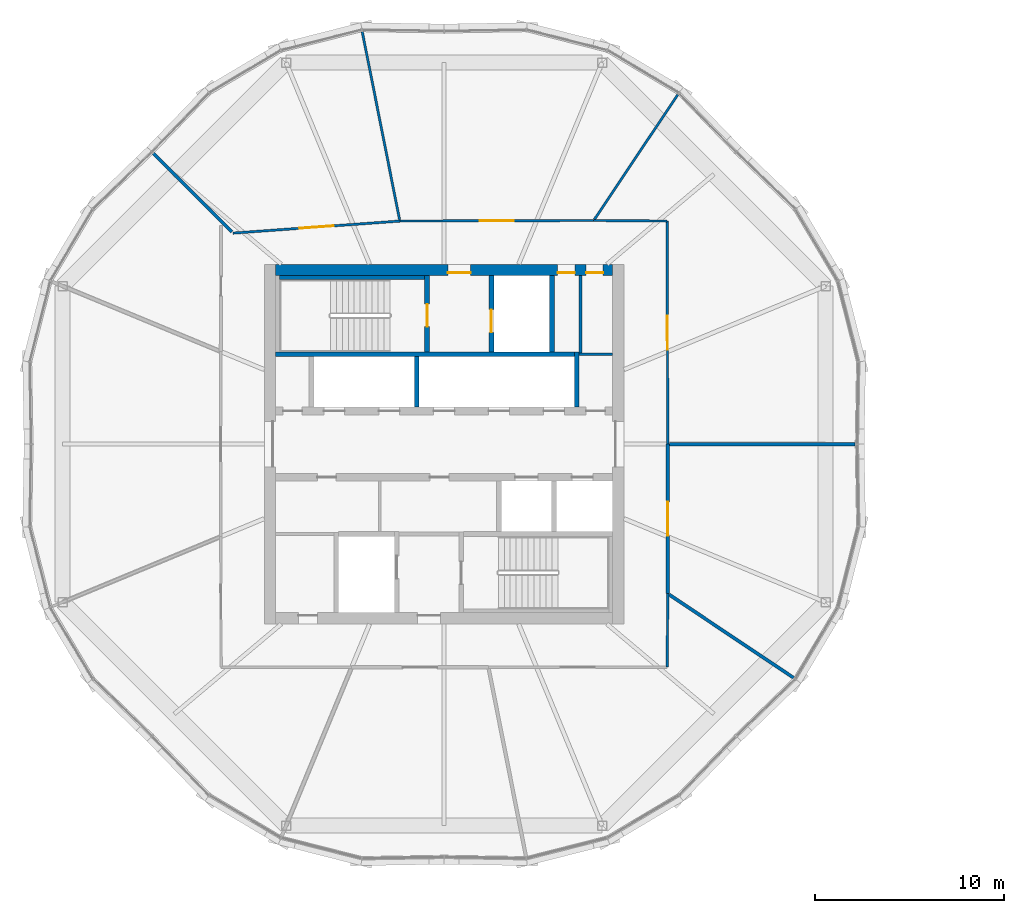
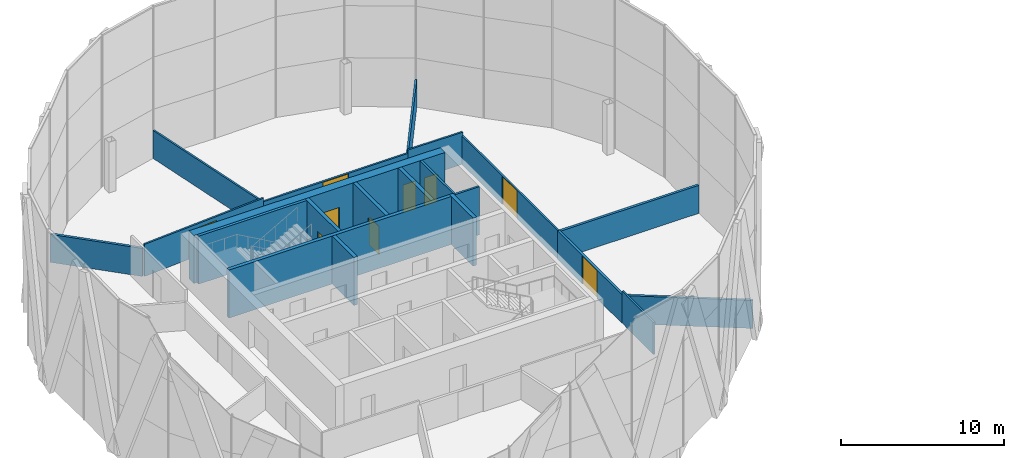
# One storey, part 18 of 23: 21 walls, 9 doors, 9 openings.
"""IFC4 building model written with IfcOpenShell, lengths in metres."""

from ifc_helpers import new_model, si_unit, direction, frame, frame_2d, origin, place, context, subcontext, project, spatial, rectangle, extrude, material, layer, layer_set, type_object, element, fill, save


model = new_model("IFC4")

# Units and contexts
model_context = context("Model", 3, precision=1e-05, world=origin(), true_north=direction((0.0, 1.0)))
body_context = subcontext(model_context, "Body", "Model", "MODEL_VIEW")
ifc_project = project(units=[si_unit("LENGTHUNIT", "METRE"), si_unit("AREAUNIT", "SQUARE_METRE"), si_unit("VOLUMEUNIT", "CUBIC_METRE"), si_unit("PLANEANGLEUNIT", "RADIAN"), si_unit("MASSUNIT", "GRAM", prefix="KILO")], contexts=[model_context])

# Site, building, storey
site_placement = place(None, origin())
site = spatial("IfcSite", under=ifc_project, at=site_placement, CompositionType="ELEMENT")
building_placement = place(site_placement, origin())
building = spatial("IfcBuilding", under=site, at=building_placement, Name="Ogive Gate Towers", CompositionType="ELEMENT")
storey_placement = place(building_placement, frame((0.0, 0.0, 177.300048828125)))
storey = spatial("IfcBuildingStorey", under=building, at=storey_placement, Name="L42", CompositionType="ELEMENT", Elevation=177.300048828125)

# Walls
ifc_material_1 = material(Name="Gypsum board acoustic partition")
ifc_layer_1 = layer(ifc_material_1, 0.175048828125)
ifc_layer_set_1 = layer_set([ifc_layer_1], Name="Acoustic partition 175")
wall_type_1 = type_object("IfcWallType", Name="Acoustic partition 175", PredefinedType="PARTITIONING", material=ifc_layer_set_1)
wall_1_placement = place(storey_placement, frame((-14.291015625, 0.0, 0.0), z_axis=(0.0, 0.0, 1.0), x_axis=(-1.0, 0.0, 0.0)))
element("IfcWall", 1, at=wall_1_placement, inside=storey, type_object=wall_type_1, Name="Partition T1-L42-001", PredefinedType="PARTITIONING", context=body_context, shape_type="SweptSolid", body=[
    extrude(rectangle(XDim=9.8115234375, YDim=0.175048828125, at=frame_2d((4.90576171875, 0.0))), origin(), (0.0, 0.0, 1.0), 2.099853515625),
])
wall_2_placement = place(storey_placement, frame((-51.3505859375, 15.3505859375, 0.0), z_axis=(0.0, 0.0, 1.0), x_axis=(0.707106781187, -0.707106781187, 0.0)))
element("IfcWall", 2, at=wall_2_placement, inside=storey, type_object=wall_type_1, Name="Partition T1-L42-004", PredefinedType="PARTITIONING", context=body_context, shape_type="SweptSolid", body=[
    extrude(rectangle(XDim=5.861572265625, YDim=0.175048828125, at=frame_2d((2.9306640625, 0.0))), origin(), (0.0, 0.0, 1.0), 2.099853515625),
])
wall_3_placement = place(storey_placement, frame((-17.537841796875, -12.345703125, 0.0), z_axis=(0.0, 0.0, 1.0), x_axis=(-0.831275639712, 0.555860423867, 0.0)))
element("IfcWall", 3, at=wall_3_placement, inside=storey, type_object=wall_type_1, Name="Partition T1-L42-009", PredefinedType="PARTITIONING", context=body_context, shape_type="SweptSolid", body=[
    extrude(rectangle(XDim=7.91162109375, YDim=0.175048828125, at=frame_2d((3.955810546875, 0.0))), origin(), (0.0, 0.0, 1.0), 2.099853515625),
])

# Wall, opening, door
wall_4_placement = place(storey_placement, frame((-24.187255859375, -7.899169921875, 0.0), z_axis=(0.0, 0.0, 1.0), x_axis=(-0.000339978345, 0.999999942207, 0.0)))
wall_4 = element("IfcWall", 4, at=wall_4_placement, inside=storey, type_object=wall_type_1, Name="Partition T1-L42-010", PredefinedType="PARTITIONING", context=body_context, shape_type="SweptSolid", body=[
    extrude(rectangle(XDim=7.899169921875, YDim=0.175048828125, at=frame_2d((3.94970703125, 0.0))), origin(), (0.0, 0.0, 1.0), 2.139892578125),
])
opening_1_placement = place(wall_4_placement, frame((3.050048828125, 0.0, 0.0)))
opening_1 = element("IfcOpeningElement", 5, at=opening_1_placement, cuts=wall_4, Name="Opening T1-L42-D01", PredefinedType="OPENING", context=body_context, shape_type="SweptSolid", body=[
    extrude(rectangle(XDim=1.800048828125, YDim=2.10009765625, at=frame_2d((0.89990234375, 1.050048828125))), frame((0.0, 0.09765625, 0.0), z_axis=(0.0, -1.0, 0.0), x_axis=(1.0, 0.0, 0.0)), (0.0, 0.0, 1.0), 0.195068359375),
])
ifc_material_2 = material(Name="Timber door", Category="wood")
door_type_1 = type_object("IfcDoorType", Name="Door pair 1800", OperationType="NOTDEFINED", PredefinedType="DOOR", material=ifc_material_2)
door_1_placement = place(opening_1_placement, origin())
door_1 = element("IfcDoor", 6, at=door_1_placement, inside=storey, type_object=door_type_1, Name="Door T1-L42-D01", OperationType="DOUBLE_DOOR_DOUBLE_SWING", OverallHeight=2.10009765625, OverallWidth=1.800048828125, PredefinedType="DOOR", context=body_context, shape_type="SweptSolid", body=[
    extrude(rectangle(XDim=1.800048828125, YDim=2.10009765625, at=frame_2d((0.89990234375, 1.050048828125))), frame((0.0, 0.02490234375, 0.0), z_axis=(0.0, -1.0, 0.0), x_axis=(1.0, 0.0, 0.0)), (0.0, 0.0, 1.0), 0.050048828125),
])
fill(opening_1, door_1)

# Wall, openings, doors
ifc_material_3 = material(Name="Concrete C60/75", Category="concrete")
ifc_layer_2 = layer(ifc_material_3, 0.60009765625)
ifc_layer_set_2 = layer_set([ifc_layer_2], Name="Core wall 600 mm")
wall_type_2 = type_object("IfcWallType", Name="Core wall 600 mm", PredefinedType="SHEAR", material=ifc_layer_set_2)
wall_5_placement = place(storey_placement, frame((-44.89990234375, 9.199951171875, 0.0), z_axis=(0.0, 0.0, 1.0), x_axis=(1.0, 0.0, 0.0)))
wall_5 = element("IfcWall", 7, at=wall_5_placement, inside=storey, type_object=wall_type_2, Name="T1 L42 Core wall 600 mm", PredefinedType="SHEAR", context=body_context, shape_type="SweptSolid", body=[
    extrude(rectangle(XDim=17.7998046875, YDim=0.60009765625, at=frame_2d((8.89990234375, 0.0))), origin(), (0.0, 0.0, 1.0), 3.599853515625),
])
opening_2_placement = place(wall_5_placement, frame((9.10009765625, 0.0, 0.0)))
opening_2 = element("IfcOpeningElement", 8, at=opening_2_placement, cuts=wall_5, Name="Opening KD-T1-L42-18", PredefinedType="OPENING", context=body_context, shape_type="SweptSolid", body=[
    extrude(rectangle(XDim=1.199951171875, YDim=2.10009765625, at=frame_2d((0.60009765625, 1.050048828125))), frame((0.0, 0.31005859375, 0.0), z_axis=(0.0, -1.0, 0.0), x_axis=(1.0, 0.0, 0.0)), (0.0, 0.0, 1.0), 0.6201171875),
])
opening_3_placement = place(wall_5_placement, frame((14.89990234375, 0.0, 0.0)))
opening_3 = element("IfcOpeningElement", 9, at=opening_3_placement, cuts=wall_5, Name="Opening KD-T1-L42-20", PredefinedType="OPENING", context=body_context, shape_type="SweptSolid", body=[
    extrude(rectangle(XDim=0.89990234375, YDim=2.10009765625, at=frame_2d((0.449951171875, 1.050048828125))), frame((0.0, 0.31005859375, 0.0), z_axis=(0.0, -1.0, 0.0), x_axis=(1.0, 0.0, 0.0)), (0.0, 0.0, 1.0), 0.6201171875),
])
opening_4_placement = place(wall_5_placement, frame((16.39990234375, 0.0, 0.0)))
opening_4 = element("IfcOpeningElement", 10, at=opening_4_placement, cuts=wall_5, Name="Opening KD-T1-L42-21", PredefinedType="OPENING", context=body_context, shape_type="SweptSolid", body=[
    extrude(rectangle(XDim=0.89990234375, YDim=2.10009765625, at=frame_2d((0.449951171875, 1.050048828125))), frame((0.0, 0.31005859375, 0.0), z_axis=(0.0, -1.0, 0.0), x_axis=(1.0, 0.0, 0.0)), (0.0, 0.0, 1.0), 0.6201171875),
])
door_type_2 = type_object("IfcDoorType", Name="Core WC door 900 x 2100", OperationType="NOTDEFINED", PredefinedType="DOOR", material=ifc_material_2)
door_2_placement = place(opening_3_placement, origin())
door_2 = element("IfcDoor", 11, at=door_2_placement, inside=storey, type_object=door_type_2, Name="T1 L42 Core door", OperationType="SINGLE_SWING_LEFT", OverallHeight=2.10009765625, OverallWidth=0.89990234375, PredefinedType="DOOR", context=body_context, shape_type="SweptSolid", body=[
    extrude(rectangle(XDim=0.89990234375, YDim=2.10009765625, at=frame_2d((0.449951171875, 1.050048828125))), frame((0.0, -0.125, 0.0), z_axis=(0.0, -1.0, 0.0), x_axis=(1.0, 0.0, 0.0)), (0.0, 0.0, 1.0), 0.050048828125),
])
fill(opening_3, door_2)
door_3_placement = place(opening_4_placement, origin())
door_3 = element("IfcDoor", 12, at=door_3_placement, inside=storey, type_object=door_type_2, Name="T1 L42 Core door", OperationType="SINGLE_SWING_RIGHT", OverallHeight=2.10009765625, OverallWidth=0.89990234375, PredefinedType="DOOR", context=body_context, shape_type="SweptSolid", body=[
    extrude(rectangle(XDim=0.89990234375, YDim=2.10009765625, at=frame_2d((0.449951171875, 1.050048828125))), frame((0.0, -0.125, 0.0), z_axis=(0.0, -1.0, 0.0), x_axis=(1.0, 0.0, 0.0)), (0.0, 0.0, 1.0), 0.050048828125),
])
fill(opening_4, door_3)
ifc_material_4 = material(Name="Steel fire door", Category="steel")
door_type_3 = type_object("IfcDoorType", Name="Core door FD60S 1200 x 2100", OperationType="NOTDEFINED", PredefinedType="DOOR", material=ifc_material_4)
door_4_placement = place(opening_2_placement, origin())
door_4 = element("IfcDoor", 13, at=door_4_placement, inside=storey, type_object=door_type_3, Name="T1 L42 Fire-fighting lobby door", OperationType="SINGLE_SWING_LEFT", OverallHeight=2.10009765625, OverallWidth=1.199951171875, PredefinedType="DOOR", context=body_context, shape_type="SweptSolid", body=[
    extrude(rectangle(XDim=1.199951171875, YDim=2.10009765625, at=frame_2d((0.60009765625, 1.050048828125))), frame((0.0, -0.125, 0.0), z_axis=(0.0, -1.0, 0.0), x_axis=(1.0, 0.0, 0.0)), (0.0, 0.0, 1.0), 0.050048828125),
])
fill(opening_2, door_4)

# Walls
ifc_material_5 = material(Name="Gypsum board partition")
ifc_layer_3 = layer(ifc_material_5, 0.125)
ifc_layer_set_3 = layer_set([ifc_layer_3], Name="Partition 125")
wall_type_3 = type_object("IfcWallType", Name="Partition 125", PredefinedType="PARTITIONING", material=ifc_layer_set_3)
wall_6_placement = place(storey_placement, frame((-23.654296875, 18.462158203125, 0.0), z_axis=(0.0, 0.0, 1.0), x_axis=(-0.555863865151, -0.831273338571, 0.0)))
element("IfcWall", 14, at=wall_6_placement, inside=storey, type_object=wall_type_3, Name="Partition T1-L42-002", PredefinedType="PARTITIONING", context=body_context, shape_type="SweptSolid", body=[
    extrude(rectangle(XDim=7.9365234375, YDim=0.125, at=frame_2d((3.96826171875, 0.0))), origin(), (0.0, 0.0, 1.0), 2.099853515625),
])
wall_7_placement = place(storey_placement, frame((-40.324951171875, 21.784423828125, 0.0), z_axis=(0.0, 0.0, 1.0), x_axis=(0.194731025015, -0.98085668061, 0.0)))
element("IfcWall", 15, at=wall_7_placement, inside=storey, type_object=wall_type_3, Name="Partition T1-L42-003", PredefinedType="PARTITIONING", context=body_context, shape_type="SweptSolid", body=[
    extrude(rectangle(XDim=10.136474609375, YDim=0.125, at=frame_2d((5.068359375, 0.0))), origin(), (0.0, 0.0, 1.0), 2.099853515625),
])

# Wall, opening, door
wall_8_placement = place(storey_placement, frame((-24.18994140625, 0.0, 0.0), z_axis=(0.0, 0.0, 1.0), x_axis=(-0.002549161683, 0.999996750882, 0.0)))
wall_8 = element("IfcWall", 16, at=wall_8_placement, inside=storey, type_object=wall_type_3, Name="Partition T1-L42-011", PredefinedType="PARTITIONING", context=body_context, shape_type="SweptSolid", body=[
    extrude(rectangle(XDim=11.780029296875, YDim=0.125, at=frame_2d((5.89013671875, 0.0))), origin(), (0.0, 0.0, 1.0), 2.139892578125),
])
opening_5_placement = place(wall_8_placement, frame((4.989990234375, 0.0, 0.0)))
opening_5 = element("IfcOpeningElement", 17, at=opening_5_placement, cuts=wall_8, Name="Opening T1-L42-D02", PredefinedType="OPENING", context=body_context, shape_type="SweptSolid", body=[
    extrude(rectangle(XDim=1.800048828125, YDim=2.10009765625, at=frame_2d((0.89990234375, 1.050048828125))), frame((0.0, 0.072509765625, 0.0), z_axis=(0.0, -1.0, 0.0), x_axis=(1.0, 0.0, 0.0)), (0.0, 0.0, 1.0), 0.14501953125),
])
door_5_placement = place(opening_5_placement, origin())
door_5 = element("IfcDoor", 18, at=door_5_placement, inside=storey, type_object=door_type_1, Name="Door T1-L42-D02", OperationType="DOUBLE_DOOR_DOUBLE_SWING", OverallHeight=2.10009765625, OverallWidth=1.800048828125, PredefinedType="DOOR", context=body_context, shape_type="SweptSolid", body=[
    extrude(rectangle(XDim=1.800048828125, YDim=2.10009765625, at=frame_2d((0.89990234375, 1.050048828125))), frame((0.0, 0.02490234375, 0.0), z_axis=(0.0, -1.0, 0.0), x_axis=(1.0, 0.0, 0.0)), (0.0, 0.0, 1.0), 0.050048828125),
])
fill(opening_5, door_5)

# Wall
wall_9_placement = place(storey_placement, frame((-24.219970703125, 11.780029296875, 0.0), z_axis=(0.0, 0.0, 1.0), x_axis=(-0.999964471183, 0.008429494158, 0.0)))
element("IfcWall", 19, at=wall_9_placement, inside=storey, type_object=wall_type_3, Name="Partition T1-L42-012", PredefinedType="PARTITIONING", context=body_context, shape_type="SweptSolid", body=[
    extrude(rectangle(XDim=3.881103515625, YDim=0.125, at=frame_2d((1.9404296875, 0.0))), origin(), (0.0, 0.0, 1.0), 2.39990234375),
])

# Wall, opening, door
wall_10_placement = place(storey_placement, frame((-28.100830078125, 11.812744140625, 0.0), z_axis=(0.0, 0.0, 1.0), x_axis=(-0.999995120716, -0.003123866956, 0.0)))
wall_10 = element("IfcWall", 20, at=wall_10_placement, inside=storey, type_object=wall_type_3, Name="Partition T1-L42-013", PredefinedType="PARTITIONING", context=body_context, shape_type="SweptSolid", body=[
    extrude(rectangle(XDim=10.238037109375, YDim=0.125, at=frame_2d((5.119140625, 0.0))), origin(), (0.0, 0.0, 1.0), 2.139892578125),
])
opening_6_placement = place(wall_10_placement, frame((4.218994140625, 0.0, 0.0)))
opening_6 = element("IfcOpeningElement", 21, at=opening_6_placement, cuts=wall_10, Name="Opening T1-L42-D03", PredefinedType="OPENING", context=body_context, shape_type="SweptSolid", body=[
    extrude(rectangle(XDim=1.800048828125, YDim=2.10009765625, at=frame_2d((0.89990234375, 1.050048828125))), frame((0.0, 0.072509765625, 0.0), z_axis=(0.0, -1.0, 0.0), x_axis=(1.0, 0.0, 0.0)), (0.0, 0.0, 1.0), 0.14501953125),
])
door_6_placement = place(opening_6_placement, origin())
door_6 = element("IfcDoor", 22, at=door_6_placement, inside=storey, type_object=door_type_1, Name="Door T1-L42-D03", OperationType="DOUBLE_DOOR_DOUBLE_SWING", OverallHeight=2.10009765625, OverallWidth=1.800048828125, PredefinedType="DOOR", context=body_context, shape_type="SweptSolid", body=[
    extrude(rectangle(XDim=1.800048828125, YDim=2.10009765625, at=frame_2d((0.89990234375, 1.050048828125))), frame((0.0, 0.02490234375, 0.0), z_axis=(0.0, -1.0, 0.0), x_axis=(1.0, 0.0, 0.0)), (0.0, 0.0, 1.0), 0.050048828125),
])
fill(opening_6, door_6)

wall_11_placement = place(storey_placement, frame((-38.3388671875, 11.78076171875, 0.0), z_axis=(0.0, 0.0, 1.0), x_axis=(-0.997395705501, -0.072123551266, 0.0)))
wall_11 = element("IfcWall", 23, at=wall_11_placement, inside=storey, type_object=wall_type_3, Name="Partition T1-L42-014", PredefinedType="PARTITIONING", context=body_context, shape_type="SweptSolid", body=[
    extrude(rectangle(XDim=8.828125, YDim=0.125, at=frame_2d((4.4140625, 0.0))), origin(), (0.0, 0.0, 1.0), 2.39990234375),
])
opening_7_placement = place(wall_11_placement, frame((3.513916015625, 0.0, 0.0)))
opening_7 = element("IfcOpeningElement", 24, at=opening_7_placement, cuts=wall_11, Name="Opening T1-L42-D04", PredefinedType="OPENING", context=body_context, shape_type="SweptSolid", body=[
    extrude(rectangle(XDim=1.800048828125, YDim=2.10009765625, at=frame_2d((0.89990234375, 1.050048828125))), frame((0.0, 0.072509765625, 0.0), z_axis=(0.0, -1.0, 0.0), x_axis=(1.0, 0.0, 0.0)), (0.0, 0.0, 1.0), 0.14501953125),
])
door_7_placement = place(opening_7_placement, origin())
door_7 = element("IfcDoor", 25, at=door_7_placement, inside=storey, type_object=door_type_1, Name="Door T1-L42-D04", OperationType="DOUBLE_DOOR_DOUBLE_SWING", OverallHeight=2.10009765625, OverallWidth=1.800048828125, PredefinedType="DOOR", context=body_context, shape_type="SweptSolid", body=[
    extrude(rectangle(XDim=1.800048828125, YDim=2.10009765625, at=frame_2d((0.89990234375, 1.050048828125))), frame((0.0, 0.02490234375, 0.0), z_axis=(0.0, -1.0, 0.0), x_axis=(1.0, 0.0, 0.0)), (0.0, 0.0, 1.0), 0.050048828125),
])
fill(opening_7, door_7)

# Walls
wall_12_placement = place(storey_placement, frame((-24.219970703125, -11.780029296875, 0.0), z_axis=(0.0, 0.0, 1.0), x_axis=(0.008429494158, 0.999964471183, 0.0)))
element("IfcWall", 26, at=wall_12_placement, inside=storey, type_object=wall_type_3, Name="Partition T1-L42-021", PredefinedType="PARTITIONING", context=body_context, shape_type="SweptSolid", body=[
    extrude(rectangle(XDim=3.881103515625, YDim=0.125, at=frame_2d((1.9404296875, 0.0))), origin(), (0.0, 0.0, 1.0), 2.39990234375),
])
ifc_layer_4 = layer(ifc_material_5, 0.14990234375)
ifc_layer_set_4 = layer_set([ifc_layer_4], Name="Room partition 150 mm")
wall_type_4 = type_object("IfcWallType", Name="Room partition 150 mm", PredefinedType="PARTITIONING", material=ifc_layer_set_4)
wall_13_placement = place(storey_placement, frame((-28.875, 4.75, 0.0), z_axis=(0.0, 0.0, 1.0), x_axis=(1.0, 0.0, 0.0)))
element("IfcWall", 27, at=wall_13_placement, inside=storey, type_object=wall_type_4, Name="T1 L42 Room partition 150 mm", PredefinedType="PARTITIONING", context=body_context, shape_type="SweptSolid", body=[
    extrude(rectangle(XDim=1.77490234375, YDim=0.14990234375, at=frame_2d((0.887451171875, 0.0))), origin(), (0.0, 0.0, 1.0), 3.599853515625),
])
wall_14_placement = place(storey_placement, frame((-28.800048828125, 4.824951171875, 0.0), z_axis=(0.0, 0.0, 1.0), x_axis=(0.0, 1.0, 0.0)))
element("IfcWall", 28, at=wall_14_placement, inside=storey, type_object=wall_type_4, Name="T1 L42 Room partition 150 mm", PredefinedType="PARTITIONING", context=body_context, shape_type="SweptSolid", body=[
    extrude(rectangle(XDim=4.074951171875, YDim=0.14990234375, at=frame_2d((2.03759765625, 0.0))), origin(), (0.0, 0.0, 1.0), 3.599853515625),
])
ifc_layer_5 = layer(ifc_material_3, 0.25)
ifc_layer_set_5 = layer_set([ifc_layer_5], Name="Shaft wall 250 mm")
wall_type_5 = type_object("IfcWallType", Name="Shaft wall 250 mm", PredefinedType="SHEAR", material=ifc_layer_set_5)
wall_15_placement = place(storey_placement, frame((-44.89990234375, 4.75, 0.0), z_axis=(0.0, 0.0, 1.0), x_axis=(1.0, 0.0, 0.0)))
element("IfcWall", 29, at=wall_15_placement, inside=storey, type_object=wall_type_5, Name="T1 L42 Shaft wall 250 mm", PredefinedType="SHEAR", context=body_context, shape_type="SweptSolid", body=[
    extrude(rectangle(XDim=15.77490234375, YDim=0.25, at=frame_2d((7.887451171875, 0.0))), origin(), (0.0, 0.0, 1.0), 3.599853515625),
])
wall_16_placement = place(storey_placement, frame((-37.449951171875, 1.949951171875, 0.0), z_axis=(0.0, 0.0, 1.0), x_axis=(0.0, 1.0, 0.0)))
element("IfcWall", 30, at=wall_16_placement, inside=storey, type_object=wall_type_5, Name="T1 L42 Shaft wall 250 mm", PredefinedType="SHEAR", context=body_context, shape_type="SweptSolid", body=[
    extrude(rectangle(XDim=2.675048828125, YDim=0.25, at=frame_2d((1.33740234375, 0.0))), origin(), (0.0, 0.0, 1.0), 3.599853515625),
])

# Wall, opening, door
wall_17_placement = place(storey_placement, frame((-36.89990234375, 4.875, 0.0), z_axis=(0.0, 0.0, 1.0), x_axis=(0.0, 1.0, 0.0)))
wall_17 = element("IfcWall", 31, at=wall_17_placement, inside=storey, type_object=wall_type_5, Name="T1 L42 Shaft wall 250 mm", PredefinedType="SHEAR", context=body_context, shape_type="SweptSolid", body=[
    extrude(rectangle(XDim=4.02490234375, YDim=0.25, at=frame_2d((2.012451171875, 0.0))), origin(), (0.0, 0.0, 1.0), 3.599853515625),
])
opening_8_placement = place(wall_17_placement, frame((1.324951171875, 0.0, 0.0)))
opening_8 = element("IfcOpeningElement", 32, at=opening_8_placement, cuts=wall_17, Name="Opening KD-T1-L42-16", PredefinedType="OPENING", context=body_context, shape_type="SweptSolid", body=[
    extrude(rectangle(XDim=1.199951171875, YDim=2.10009765625, at=frame_2d((0.60009765625, 1.050048828125))), frame((0.0, 0.135009765625, 0.0), z_axis=(0.0, -1.0, 0.0), x_axis=(1.0, 0.0, 0.0)), (0.0, 0.0, 1.0), 0.27001953125),
])
door_8_placement = place(opening_8_placement, origin())
door_8 = element("IfcDoor", 33, at=door_8_placement, inside=storey, type_object=door_type_3, Name="T1 L42 Stair door", OperationType="SINGLE_SWING_LEFT", OverallHeight=2.10009765625, OverallWidth=1.199951171875, PredefinedType="DOOR", context=body_context, shape_type="SweptSolid", body=[
    extrude(rectangle(XDim=1.199951171875, YDim=2.10009765625, at=frame_2d((0.60009765625, 1.050048828125))), frame((0.0, 0.02490234375, 0.0), z_axis=(0.0, -1.0, 0.0), x_axis=(1.0, 0.0, 0.0)), (0.0, 0.0, 1.0), 0.050048828125),
])
fill(opening_8, door_8)

wall_18_placement = place(storey_placement, frame((-33.5, 4.875, 0.0), z_axis=(0.0, 0.0, 1.0), x_axis=(0.0, 1.0, 0.0)))
wall_18 = element("IfcWall", 34, at=wall_18_placement, inside=storey, type_object=wall_type_5, Name="T1 L42 Shaft wall 250 mm", PredefinedType="SHEAR", context=body_context, shape_type="SweptSolid", body=[
    extrude(rectangle(XDim=4.02490234375, YDim=0.25, at=frame_2d((2.012451171875, 0.0))), origin(), (0.0, 0.0, 1.0), 3.599853515625),
])
opening_9_placement = place(wall_18_placement, frame((1.02490234375, 0.0, 0.0)))
opening_9 = element("IfcOpeningElement", 35, at=opening_9_placement, cuts=wall_18, Name="Opening LD-T1-L42-12", PredefinedType="OPENING", context=body_context, shape_type="SweptSolid", body=[
    extrude(rectangle(XDim=1.199951171875, YDim=2.10009765625, at=frame_2d((0.60009765625, 1.050048828125))), frame((0.0, 0.135009765625, 0.0), z_axis=(0.0, -1.0, 0.0), x_axis=(1.0, 0.0, 0.0)), (0.0, 0.0, 1.0), 0.27001953125),
])
ifc_material_6 = material(Name="Stainless steel landing door", Category="steel")
door_type_4 = type_object("IfcDoorType", Name="Landing door 1200 x 2100", OperationType="SLIDING_TO_LEFT", PredefinedType="DOOR", material=ifc_material_6)
door_9_placement = place(opening_9_placement, origin())
door_9 = element("IfcDoor", 36, at=door_9_placement, inside=storey, type_object=door_type_4, Name="T1 L42 Lift landing door FF1", OperationType="SLIDING_TO_LEFT", OverallHeight=2.10009765625, OverallWidth=1.199951171875, PredefinedType="DOOR", context=body_context, shape_type="SweptSolid", body=[
    extrude(rectangle(XDim=1.199951171875, YDim=2.10009765625, at=frame_2d((0.60009765625, 1.050048828125))), frame((0.0, 0.02490234375, 0.0), z_axis=(0.0, -1.0, 0.0), x_axis=(1.0, 0.0, 0.0)), (0.0, 0.0, 1.0), 0.050048828125),
])
fill(opening_9, door_9)

# Walls
wall_19_placement = place(storey_placement, frame((-30.300048828125, 4.875, 0.0), z_axis=(0.0, 0.0, 1.0), x_axis=(0.0, 1.0, 0.0)))
element("IfcWall", 37, at=wall_19_placement, inside=storey, type_object=wall_type_5, Name="T1 L42 Shaft wall 250 mm", PredefinedType="SHEAR", context=body_context, shape_type="SweptSolid", body=[
    extrude(rectangle(XDim=4.02490234375, YDim=0.25, at=frame_2d((2.012451171875, 0.0))), origin(), (0.0, 0.0, 1.0), 3.599853515625),
])
wall_20_placement = place(storey_placement, frame((-29.0, 1.949951171875, 0.0), z_axis=(0.0, 0.0, 1.0), x_axis=(0.0, 1.0, 0.0)))
element("IfcWall", 38, at=wall_20_placement, inside=storey, type_object=wall_type_5, Name="T1 L42 Shaft wall 250 mm", PredefinedType="SHEAR", context=body_context, shape_type="SweptSolid", body=[
    extrude(rectangle(XDim=2.925048828125, YDim=0.25, at=frame_2d((1.46240234375, 0.0))), origin(), (0.0, 0.0, 1.0), 3.599853515625),
])
ifc_layer_6 = layer(ifc_material_3, 0.199951171875)
ifc_layer_set_6 = layer_set([ifc_layer_6], Name="Stair wall 200 mm")
wall_type_6 = type_object("IfcWallType", Name="Stair wall 200 mm", PredefinedType="SHEAR", material=ifc_layer_set_6)
wall_21_placement = place(storey_placement, frame((-44.699951171875, 8.800048828125, 0.0), z_axis=(0.0, 0.0, 1.0), x_axis=(1.0, 0.0, 0.0)))
element("IfcWall", 39, at=wall_21_placement, inside=storey, type_object=wall_type_6, Name="T1 L42 Stair wall 200 mm", PredefinedType="SHEAR", context=body_context, shape_type="SweptSolid", body=[
    extrude(rectangle(XDim=7.675048828125, YDim=0.199951171875, at=frame_2d((3.83740234375, 0.0))), origin(), (0.0, 0.0, 1.0), 3.599853515625),
])

save(model, "model.ifc")
